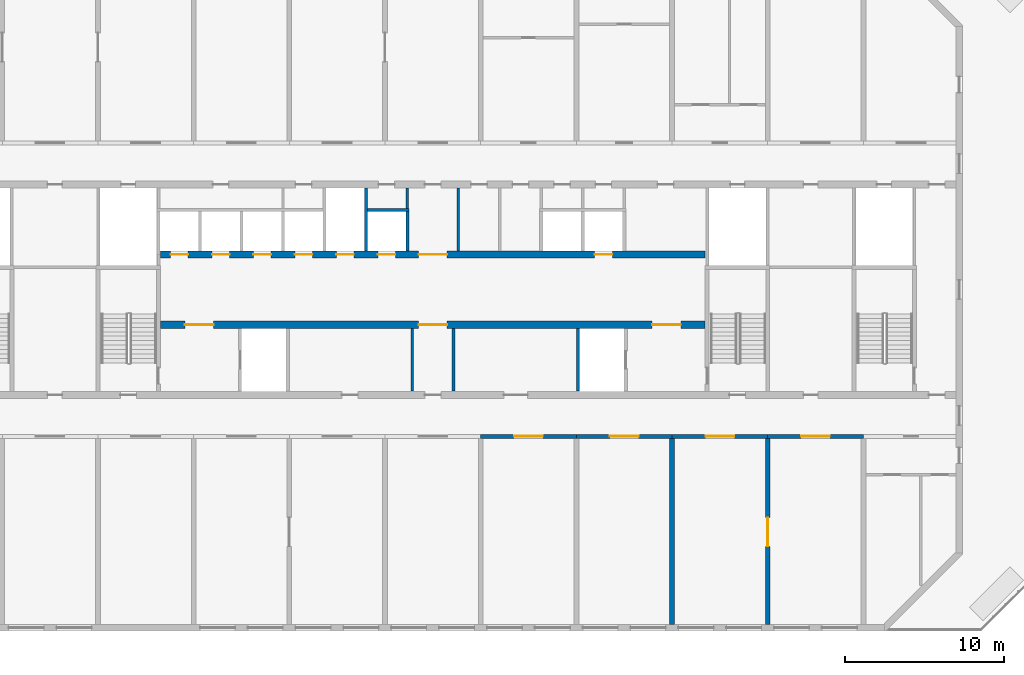
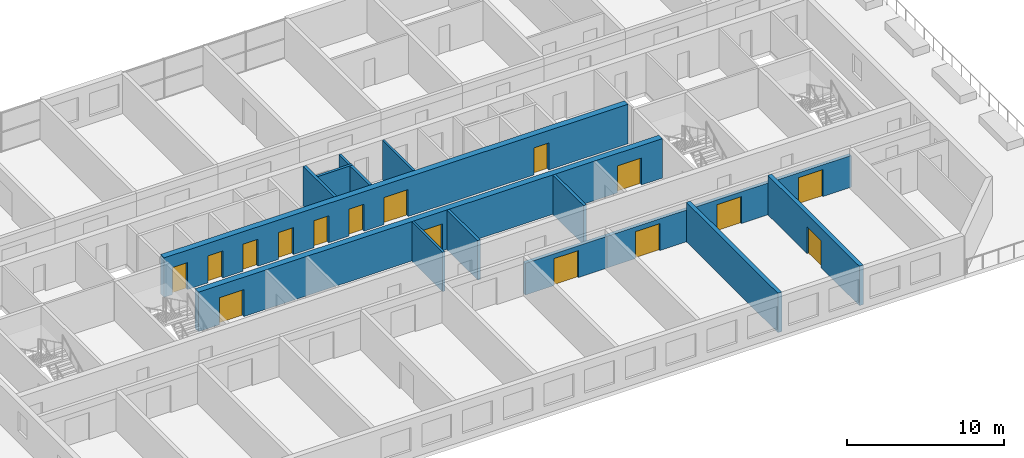
# One storey, part 6 of 14: 16 doors, 16 walls, 16 openings.
"""IFC4 building model written with IfcOpenShell, lengths in metres."""

from ifc_helpers import new_model, si_unit, direction, frame, frame_2d, origin, place, context, subcontext, project, spatial, rectangle, extrude, material, layer, layer_set, type_object, element, fill, save


model = new_model("IFC4")

# Units and contexts
model_context = context("Model", 3, precision=1e-05, world=origin(), true_north=direction((0.0, 1.0)))
body_context = subcontext(model_context, "Body", "Model", "MODEL_VIEW")
ifc_project = project(units=[si_unit("LENGTHUNIT", "METRE"), si_unit("AREAUNIT", "SQUARE_METRE"), si_unit("VOLUMEUNIT", "CUBIC_METRE"), si_unit("PLANEANGLEUNIT", "RADIAN"), si_unit("MASSUNIT", "GRAM", prefix="KILO")], contexts=[model_context])

# Site, building, storey
site_placement = place(None, origin())
site = spatial("IfcSite", under=ifc_project, at=site_placement, CompositionType="ELEMENT")
building_placement = place(site_placement, origin())
building = spatial("IfcBuilding", under=site, at=building_placement, Name="Poui Terraces", CompositionType="ELEMENT")
storey_placement = place(building_placement, frame((0.0, 0.0, 158.699951171875)))
storey = spatial("IfcBuildingStorey", under=building, at=storey_placement, Name="L44", CompositionType="ELEMENT", Elevation=158.699951171875)

# Wall, openings, doors
ifc_material_1 = material(Name="Concrete 65 MPa", Category="concrete")
ifc_layer_1 = layer(ifc_material_1, 0.449951171875)
ifc_layer_set_1 = layer_set([ifc_layer_1], Name="Concrete 65 MPa")
wall_type_1 = type_object("IfcWallType", Name="CORE WALL 450 65 MPA", PredefinedType="SOLIDWALL", material=ifc_layer_set_1)
wall_1_placement = place(storey_placement, frame((33.925048828125, 19.0, 0.0), z_axis=(0.0, 0.0, 1.0), x_axis=(1.0, 0.0, 0.0)))
wall_1 = element("IfcWall", 1, at=wall_1_placement, inside=storey, type_object=wall_type_1, Name="CORE WALL", PredefinedType="SOLIDWALL", context=body_context, shape_type="SweptSolid", body=[
    extrude(rectangle(XDim=34.14990234375, YDim=0.449951171875, at=frame_2d((17.074951171875, 0.0))), origin(), (0.0, 0.0, 1.0), 3.070068359375),
])
opening_1_placement = place(wall_1_placement, frame((16.175048828125, 0.0, 0.0)))
opening_1 = element("IfcOpeningElement", 2, at=opening_1_placement, cuts=wall_1, Name="Opening FDD60", PredefinedType="OPENING", context=body_context, shape_type="SweptSolid", body=[
    extrude(rectangle(XDim=1.800048828125, YDim=2.10009765625, at=frame_2d((0.89990234375, 1.050048828125))), frame((0.0, 0.23486328125, 0.0), z_axis=(0.0, -1.0, 0.0), x_axis=(1.0, 0.0, 0.0)), (0.0, 0.0, 1.0), 0.469970703125),
])
opening_2_placement = place(wall_1_placement, frame((1.52490234375, 0.0, 0.0)))
opening_2 = element("IfcOpeningElement", 3, at=opening_2_placement, cuts=wall_1, Name="Opening FDD60", PredefinedType="OPENING", context=body_context, shape_type="SweptSolid", body=[
    extrude(rectangle(XDim=1.800048828125, YDim=2.10009765625, at=frame_2d((0.89990234375, 1.050048828125))), frame((0.0, 0.23486328125, 0.0), z_axis=(0.0, -1.0, 0.0), x_axis=(1.0, 0.0, 0.0)), (0.0, 0.0, 1.0), 0.469970703125),
])
opening_3_placement = place(wall_1_placement, frame((30.824951171875, 0.0, 0.0)))
opening_3 = element("IfcOpeningElement", 4, at=opening_3_placement, cuts=wall_1, Name="Opening FDD60", PredefinedType="OPENING", context=body_context, shape_type="SweptSolid", body=[
    extrude(rectangle(XDim=1.800048828125, YDim=2.10009765625, at=frame_2d((0.89990234375, 1.050048828125))), frame((0.0, 0.23486328125, 0.0), z_axis=(0.0, -1.0, 0.0), x_axis=(1.0, 0.0, 0.0)), (0.0, 0.0, 1.0), 0.469970703125),
])
ifc_material_2 = material(Name="Steel fire door", Category="steel")
door_type_1 = type_object("IfcDoorType", Name="DOUBLE LOBBY FIRE DOOR 1800 X 2100", OperationType="DOUBLE_DOOR_SINGLE_SWING", PredefinedType="DOOR", material=ifc_material_2)
door_1_placement = place(opening_1_placement, frame((1.800048828125, 0.0, 0.0), z_axis=(0.0, 0.0, 1.0), x_axis=(-1.0, 0.0, 0.0)))
door_1 = element("IfcDoor", 5, at=door_1_placement, inside=storey, type_object=door_type_1, Name="DOUBLE LOBBY FIRE DOOR 069", OperationType="DOUBLE_DOOR_SINGLE_SWING", OverallHeight=2.10009765625, OverallWidth=1.800048828125, PredefinedType="DOOR", context=body_context, shape_type="SweptSolid", body=[
    extrude(rectangle(XDim=1.800048828125, YDim=2.10009765625, at=frame_2d((0.89990234375, 1.050048828125))), frame((0.0, 0.02490234375, 0.0), z_axis=(0.0, -1.0, 0.0), x_axis=(1.0, 0.0, 0.0)), (0.0, 0.0, 1.0), 0.050048828125),
])
fill(opening_1, door_1)
door_2_placement = place(opening_2_placement, origin())
door_2 = element("IfcDoor", 6, at=door_2_placement, inside=storey, type_object=door_type_1, Name="DOUBLE LOBBY FIRE DOOR 071", OperationType="DOUBLE_DOOR_SINGLE_SWING", OverallHeight=2.10009765625, OverallWidth=1.800048828125, PredefinedType="DOOR", context=body_context, shape_type="SweptSolid", body=[
    extrude(rectangle(XDim=1.800048828125, YDim=2.10009765625, at=frame_2d((0.89990234375, 1.050048828125))), frame((0.0, 0.02490234375, 0.0), z_axis=(0.0, -1.0, 0.0), x_axis=(1.0, 0.0, 0.0)), (0.0, 0.0, 1.0), 0.050048828125),
])
fill(opening_2, door_2)
door_3_placement = place(opening_3_placement, origin())
door_3 = element("IfcDoor", 7, at=door_3_placement, inside=storey, type_object=door_type_1, Name="DOUBLE LOBBY FIRE DOOR 078", OperationType="DOUBLE_DOOR_SINGLE_SWING", OverallHeight=2.10009765625, OverallWidth=1.800048828125, PredefinedType="DOOR", context=body_context, shape_type="SweptSolid", body=[
    extrude(rectangle(XDim=1.800048828125, YDim=2.10009765625, at=frame_2d((0.89990234375, 1.050048828125))), frame((0.0, 0.02490234375, 0.0), z_axis=(0.0, -1.0, 0.0), x_axis=(1.0, 0.0, 0.0)), (0.0, 0.0, 1.0), 0.050048828125),
])
fill(opening_3, door_3)

wall_2_placement = place(storey_placement, frame((33.925048828125, 23.39990234375, 0.0), z_axis=(0.0, 0.0, 1.0), x_axis=(1.0, 0.0, 0.0)))
wall_2 = element("IfcWall", 8, at=wall_2_placement, inside=storey, type_object=wall_type_1, Name="CORE WALL", PredefinedType="SOLIDWALL", context=body_context, shape_type="SweptSolid", body=[
    extrude(rectangle(XDim=34.14990234375, YDim=0.449951171875, at=frame_2d((17.074951171875, 0.0))), origin(), (0.0, 0.0, 1.0), 3.070068359375),
])
opening_4_placement = place(wall_2_placement, frame((16.175048828125, 0.0, 0.0)))
opening_4 = element("IfcOpeningElement", 9, at=opening_4_placement, cuts=wall_2, Name="Opening FDD60", PredefinedType="OPENING", context=body_context, shape_type="SweptSolid", body=[
    extrude(rectangle(XDim=1.800048828125, YDim=2.10009765625, at=frame_2d((0.89990234375, 1.050048828125))), frame((0.0, 0.23486328125, 0.0), z_axis=(0.0, -1.0, 0.0), x_axis=(1.0, 0.0, 0.0)), (0.0, 0.0, 1.0), 0.469970703125),
])
opening_5_placement = place(wall_2_placement, frame((0.625, 0.0, 0.0)))
opening_5 = element("IfcOpeningElement", 10, at=opening_5_placement, cuts=wall_2, Name="Opening LD", PredefinedType="OPENING", context=body_context, shape_type="SweptSolid", body=[
    extrude(rectangle(XDim=1.10009765625, YDim=2.10009765625, at=frame_2d((0.550048828125, 1.050048828125))), frame((0.0, 0.23486328125, 0.0), z_axis=(0.0, -1.0, 0.0), x_axis=(1.0, 0.0, 0.0)), (0.0, 0.0, 1.0), 0.469970703125),
])
opening_6_placement = place(wall_2_placement, frame((3.22509765625, 0.0, 0.0)))
opening_6 = element("IfcOpeningElement", 11, at=opening_6_placement, cuts=wall_2, Name="Opening LD", PredefinedType="OPENING", context=body_context, shape_type="SweptSolid", body=[
    extrude(rectangle(XDim=1.10009765625, YDim=2.10009765625, at=frame_2d((0.550048828125, 1.050048828125))), frame((0.0, 0.23486328125, 0.0), z_axis=(0.0, -1.0, 0.0), x_axis=(1.0, 0.0, 0.0)), (0.0, 0.0, 1.0), 0.469970703125),
])
opening_7_placement = place(wall_2_placement, frame((5.824951171875, 0.0, 0.0)))
opening_7 = element("IfcOpeningElement", 12, at=opening_7_placement, cuts=wall_2, Name="Opening LD", PredefinedType="OPENING", context=body_context, shape_type="SweptSolid", body=[
    extrude(rectangle(XDim=1.10009765625, YDim=2.10009765625, at=frame_2d((0.550048828125, 1.050048828125))), frame((0.0, 0.23486328125, 0.0), z_axis=(0.0, -1.0, 0.0), x_axis=(1.0, 0.0, 0.0)), (0.0, 0.0, 1.0), 0.469970703125),
])
opening_8_placement = place(wall_2_placement, frame((8.425048828125, 0.0, 0.0)))
opening_8 = element("IfcOpeningElement", 13, at=opening_8_placement, cuts=wall_2, Name="Opening LD", PredefinedType="OPENING", context=body_context, shape_type="SweptSolid", body=[
    extrude(rectangle(XDim=1.10009765625, YDim=2.10009765625, at=frame_2d((0.550048828125, 1.050048828125))), frame((0.0, 0.23486328125, 0.0), z_axis=(0.0, -1.0, 0.0), x_axis=(1.0, 0.0, 0.0)), (0.0, 0.0, 1.0), 0.469970703125),
])
opening_9_placement = place(wall_2_placement, frame((11.02490234375, 0.0, 0.0)))
opening_9 = element("IfcOpeningElement", 14, at=opening_9_placement, cuts=wall_2, Name="Opening LD", PredefinedType="OPENING", context=body_context, shape_type="SweptSolid", body=[
    extrude(rectangle(XDim=1.10009765625, YDim=2.10009765625, at=frame_2d((0.550048828125, 1.050048828125))), frame((0.0, 0.23486328125, 0.0), z_axis=(0.0, -1.0, 0.0), x_axis=(1.0, 0.0, 0.0)), (0.0, 0.0, 1.0), 0.469970703125),
])
opening_10_placement = place(wall_2_placement, frame((13.625, 0.0, 0.0)))
opening_10 = element("IfcOpeningElement", 15, at=opening_10_placement, cuts=wall_2, Name="Opening LD", PredefinedType="OPENING", context=body_context, shape_type="SweptSolid", body=[
    extrude(rectangle(XDim=1.10009765625, YDim=2.10009765625, at=frame_2d((0.550048828125, 1.050048828125))), frame((0.0, 0.23486328125, 0.0), z_axis=(0.0, -1.0, 0.0), x_axis=(1.0, 0.0, 0.0)), (0.0, 0.0, 1.0), 0.469970703125),
])
opening_11_placement = place(wall_2_placement, frame((27.22509765625, 0.0, 0.0)))
opening_11 = element("IfcOpeningElement", 16, at=opening_11_placement, cuts=wall_2, Name="Opening LD", PredefinedType="OPENING", context=body_context, shape_type="SweptSolid", body=[
    extrude(rectangle(XDim=1.10009765625, YDim=2.10009765625, at=frame_2d((0.550048828125, 1.050048828125))), frame((0.0, 0.23486328125, 0.0), z_axis=(0.0, -1.0, 0.0), x_axis=(1.0, 0.0, 0.0)), (0.0, 0.0, 1.0), 0.469970703125),
])
door_4_placement = place(opening_4_placement, origin())
door_4 = element("IfcDoor", 17, at=door_4_placement, inside=storey, type_object=door_type_1, Name="DOUBLE LOBBY FIRE DOOR 068", OperationType="DOUBLE_DOOR_SINGLE_SWING", OverallHeight=2.10009765625, OverallWidth=1.800048828125, PredefinedType="DOOR", context=body_context, shape_type="SweptSolid", body=[
    extrude(rectangle(XDim=1.800048828125, YDim=2.10009765625, at=frame_2d((0.89990234375, 1.050048828125))), frame((0.0, 0.02490234375, 0.0), z_axis=(0.0, -1.0, 0.0), x_axis=(1.0, 0.0, 0.0)), (0.0, 0.0, 1.0), 0.050048828125),
])
fill(opening_4, door_4)
ifc_material_3 = material(Name="Stainless steel sliding door", Category="steel")
door_type_2 = type_object("IfcDoorType", Name="LIFT LANDING DOOR 1100 X 2100", OperationType="DOUBLE_DOOR_SLIDING", PredefinedType="DOOR", material=ifc_material_3)
door_5_placement = place(opening_5_placement, origin())
door_5 = element("IfcDoor", 18, at=door_5_placement, inside=storey, type_object=door_type_2, Name="LANDING DOOR", OperationType="DOUBLE_DOOR_SLIDING", OverallHeight=2.10009765625, OverallWidth=1.10009765625, PredefinedType="DOOR", context=body_context, shape_type="SweptSolid", body=[
    extrude(rectangle(XDim=1.10009765625, YDim=2.10009765625, at=frame_2d((0.550048828125, 1.050048828125))), frame((0.0, 0.02490234375, 0.0), z_axis=(0.0, -1.0, 0.0), x_axis=(1.0, 0.0, 0.0)), (0.0, 0.0, 1.0), 0.050048828125),
])
fill(opening_5, door_5)
door_6_placement = place(opening_6_placement, origin())
door_6 = element("IfcDoor", 19, at=door_6_placement, inside=storey, type_object=door_type_2, Name="LANDING DOOR", OperationType="DOUBLE_DOOR_SLIDING", OverallHeight=2.10009765625, OverallWidth=1.10009765625, PredefinedType="DOOR", context=body_context, shape_type="SweptSolid", body=[
    extrude(rectangle(XDim=1.10009765625, YDim=2.10009765625, at=frame_2d((0.550048828125, 1.050048828125))), frame((0.0, 0.02490234375, 0.0), z_axis=(0.0, -1.0, 0.0), x_axis=(1.0, 0.0, 0.0)), (0.0, 0.0, 1.0), 0.050048828125),
])
fill(opening_6, door_6)
door_7_placement = place(opening_7_placement, origin())
door_7 = element("IfcDoor", 20, at=door_7_placement, inside=storey, type_object=door_type_2, Name="LANDING DOOR", OperationType="DOUBLE_DOOR_SLIDING", OverallHeight=2.10009765625, OverallWidth=1.10009765625, PredefinedType="DOOR", context=body_context, shape_type="SweptSolid", body=[
    extrude(rectangle(XDim=1.10009765625, YDim=2.10009765625, at=frame_2d((0.550048828125, 1.050048828125))), frame((0.0, 0.02490234375, 0.0), z_axis=(0.0, -1.0, 0.0), x_axis=(1.0, 0.0, 0.0)), (0.0, 0.0, 1.0), 0.050048828125),
])
fill(opening_7, door_7)
door_8_placement = place(opening_8_placement, origin())
door_8 = element("IfcDoor", 21, at=door_8_placement, inside=storey, type_object=door_type_2, Name="LANDING DOOR", OperationType="DOUBLE_DOOR_SLIDING", OverallHeight=2.10009765625, OverallWidth=1.10009765625, PredefinedType="DOOR", context=body_context, shape_type="SweptSolid", body=[
    extrude(rectangle(XDim=1.10009765625, YDim=2.10009765625, at=frame_2d((0.550048828125, 1.050048828125))), frame((0.0, 0.02490234375, 0.0), z_axis=(0.0, -1.0, 0.0), x_axis=(1.0, 0.0, 0.0)), (0.0, 0.0, 1.0), 0.050048828125),
])
fill(opening_8, door_8)
door_9_placement = place(opening_9_placement, origin())
door_9 = element("IfcDoor", 22, at=door_9_placement, inside=storey, type_object=door_type_2, Name="LANDING DOOR", OperationType="DOUBLE_DOOR_SLIDING", OverallHeight=2.10009765625, OverallWidth=1.10009765625, PredefinedType="DOOR", context=body_context, shape_type="SweptSolid", body=[
    extrude(rectangle(XDim=1.10009765625, YDim=2.10009765625, at=frame_2d((0.550048828125, 1.050048828125))), frame((0.0, 0.02490234375, 0.0), z_axis=(0.0, -1.0, 0.0), x_axis=(1.0, 0.0, 0.0)), (0.0, 0.0, 1.0), 0.050048828125),
])
fill(opening_9, door_9)
door_10_placement = place(opening_10_placement, origin())
door_10 = element("IfcDoor", 23, at=door_10_placement, inside=storey, type_object=door_type_2, Name="LANDING DOOR", OperationType="DOUBLE_DOOR_SLIDING", OverallHeight=2.10009765625, OverallWidth=1.10009765625, PredefinedType="DOOR", context=body_context, shape_type="SweptSolid", body=[
    extrude(rectangle(XDim=1.10009765625, YDim=2.10009765625, at=frame_2d((0.550048828125, 1.050048828125))), frame((0.0, 0.02490234375, 0.0), z_axis=(0.0, -1.0, 0.0), x_axis=(1.0, 0.0, 0.0)), (0.0, 0.0, 1.0), 0.050048828125),
])
fill(opening_10, door_10)
door_11_placement = place(opening_11_placement, origin())
door_11 = element("IfcDoor", 24, at=door_11_placement, inside=storey, type_object=door_type_2, Name="LANDING DOOR", OperationType="DOUBLE_DOOR_SLIDING", OverallHeight=2.10009765625, OverallWidth=1.10009765625, PredefinedType="DOOR", context=body_context, shape_type="SweptSolid", body=[
    extrude(rectangle(XDim=1.10009765625, YDim=2.10009765625, at=frame_2d((0.550048828125, 1.050048828125))), frame((0.0, 0.02490234375, 0.0), z_axis=(0.0, -1.0, 0.0), x_axis=(1.0, 0.0, 0.0)), (0.0, 0.0, 1.0), 0.050048828125),
])
fill(opening_11, door_11)

# Walls
ifc_material_4 = material(Name="Fire-rated plasterboard wall")
ifc_layer_2 = layer(ifc_material_4, 0.14990234375)
ifc_layer_set_2 = layer_set([ifc_layer_2], Name="Fire-rated plasterboard wall")
wall_type_2 = type_object("IfcWallType", Name="CORRIDOR WALL 150", PredefinedType="PARTITIONING", material=ifc_layer_set_2)
wall_3_placement = place(storey_placement, frame((49.39990234375, 26.300048828125, 0.0), z_axis=(0.0, 0.0, 1.0), x_axis=(0.0, 1.0, 0.0)))
element("IfcWall", 25, at=wall_3_placement, inside=storey, type_object=wall_type_2, Name="CORRIDOR WALL 150", PredefinedType="PARTITIONING", context=body_context, shape_type="SweptSolid", body=[
    extrude(rectangle(XDim=1.264892578125, YDim=0.14990234375, at=frame_2d((0.63232421875, 0.0))), origin(), (0.0, 0.0, 1.0), 3.070068359375),
])
for number, where, z_axis, x_axis, name in (
    (26, (49.699951171875, 14.8349609375, 0.0), (0.0, 0.0, 1.0), (0.0, 1.0, 0.0), "CORRIDOR WALL 150"),
    (27, (52.60009765625, 23.635009765625, 0.0), (0.0, 0.0, 1.0), (0.0, 1.0, 0.0), "CORRIDOR WALL 150"),
):
    element("IfcWall", number, at=place(storey_placement, frame(where, z_axis=z_axis, x_axis=x_axis)), inside=storey, type_object=wall_type_2, Name=name, PredefinedType="PARTITIONING", context=body_context, shape_type="SweptSolid", body=[
        extrude(rectangle(XDim=3.929931640625, YDim=0.14990234375, at=frame_2d((1.96484375, 0.0))), origin(), (0.0, 0.0, 1.0), 3.070068359375),
    ])

# Wall, opening, door
ifc_layer_3 = layer(ifc_material_1, 0.25)
ifc_layer_set_3 = layer_set([ifc_layer_3], Name="Concrete 65 MPa")
wall_type_3 = type_object("IfcWallType", Name="CORRIDOR WALL 250 65MPa", PredefinedType="SHEAR", material=ifc_layer_set_3)
wall_4_placement = place(storey_placement, frame((54.0, 12.0, 0.0), z_axis=(0.0, 0.0, 1.0), x_axis=(1.0, 0.0, 0.0)))
wall_4 = element("IfcWall", 28, at=wall_4_placement, inside=storey, type_object=wall_type_3, Name="CORRIDOR WALL LINE B BAY 7", PredefinedType="SHEAR", context=body_context, shape_type="SweptSolid", body=[
    extrude(rectangle(XDim=6.0, YDim=0.25, at=frame_2d((3.0, 0.0))), origin(), (0.0, 0.0, 1.0), 2.469970703125),
])
opening_12_placement = place(wall_4_placement, frame((2.10009765625, 0.0, 0.0)))
opening_12 = element("IfcOpeningElement", 29, at=opening_12_placement, cuts=wall_4, Name="Opening DD180", PredefinedType="OPENING", context=body_context, shape_type="SweptSolid", body=[
    extrude(rectangle(XDim=1.800048828125, YDim=2.10009765625, at=frame_2d((0.89990234375, 1.050048828125))), frame((0.0, 0.135009765625, 0.0), z_axis=(0.0, -1.0, 0.0), x_axis=(1.0, 0.0, 0.0)), (0.0, 0.0, 1.0), 0.27001953125),
])
door_type_3 = type_object("IfcDoorType", Name="DOUBLE INTERNAL DOOR 1800 X 2100", OperationType="DOUBLE_DOOR_SINGLE_SWING", PredefinedType="DOOR", material=ifc_material_2)
door_12_placement = place(opening_12_placement, origin())
door_12 = element("IfcDoor", 30, at=door_12_placement, inside=storey, type_object=door_type_3, Name="DOUBLE INTERNAL DOOR 041", OperationType="DOUBLE_DOOR_SINGLE_SWING", OverallHeight=2.10009765625, OverallWidth=1.800048828125, PredefinedType="DOOR", context=body_context, shape_type="SweptSolid", body=[
    extrude(rectangle(XDim=1.800048828125, YDim=2.10009765625, at=frame_2d((0.89990234375, 1.050048828125))), frame((0.0, 0.02490234375, 0.0), z_axis=(0.0, -1.0, 0.0), x_axis=(1.0, 0.0, 0.0)), (0.0, 0.0, 1.0), 0.050048828125),
])
fill(opening_12, door_12)

wall_5_placement = place(storey_placement, frame((60.0, 12.0, 0.0), z_axis=(0.0, 0.0, 1.0), x_axis=(1.0, 0.0, 0.0)))
wall_5 = element("IfcWall", 31, at=wall_5_placement, inside=storey, type_object=wall_type_3, Name="CORRIDOR WALL LINE B BAY 8", PredefinedType="SHEAR", context=body_context, shape_type="SweptSolid", body=[
    extrude(rectangle(XDim=6.0, YDim=0.25, at=frame_2d((3.0, 0.0))), origin(), (0.0, 0.0, 1.0), 2.469970703125),
])
opening_13_placement = place(wall_5_placement, frame((2.10009765625, 0.0, 0.0)))
opening_13 = element("IfcOpeningElement", 32, at=opening_13_placement, cuts=wall_5, Name="Opening DD180", PredefinedType="OPENING", context=body_context, shape_type="SweptSolid", body=[
    extrude(rectangle(XDim=1.800048828125, YDim=2.10009765625, at=frame_2d((0.89990234375, 1.050048828125))), frame((0.0, 0.135009765625, 0.0), z_axis=(0.0, -1.0, 0.0), x_axis=(1.0, 0.0, 0.0)), (0.0, 0.0, 1.0), 0.27001953125),
])
door_13_placement = place(opening_13_placement, origin())
door_13 = element("IfcDoor", 33, at=door_13_placement, inside=storey, type_object=door_type_3, Name="DOUBLE INTERNAL DOOR 042", OperationType="DOUBLE_DOOR_SINGLE_SWING", OverallHeight=2.10009765625, OverallWidth=1.800048828125, PredefinedType="DOOR", context=body_context, shape_type="SweptSolid", body=[
    extrude(rectangle(XDim=1.800048828125, YDim=2.10009765625, at=frame_2d((0.89990234375, 1.050048828125))), frame((0.0, 0.02490234375, 0.0), z_axis=(0.0, -1.0, 0.0), x_axis=(1.0, 0.0, 0.0)), (0.0, 0.0, 1.0), 0.050048828125),
])
fill(opening_13, door_13)

wall_6_placement = place(storey_placement, frame((66.0, 12.0, 0.0), z_axis=(0.0, 0.0, 1.0), x_axis=(1.0, 0.0, 0.0)))
wall_6 = element("IfcWall", 34, at=wall_6_placement, inside=storey, type_object=wall_type_3, Name="CORRIDOR WALL LINE B BAY 9", PredefinedType="SHEAR", context=body_context, shape_type="SweptSolid", body=[
    extrude(rectangle(XDim=6.0, YDim=0.25, at=frame_2d((3.0, 0.0))), origin(), (0.0, 0.0, 1.0), 2.469970703125),
])
opening_14_placement = place(wall_6_placement, frame((2.10009765625, 0.0, 0.0)))
opening_14 = element("IfcOpeningElement", 35, at=opening_14_placement, cuts=wall_6, Name="Opening DD180", PredefinedType="OPENING", context=body_context, shape_type="SweptSolid", body=[
    extrude(rectangle(XDim=1.800048828125, YDim=2.10009765625, at=frame_2d((0.89990234375, 1.050048828125))), frame((0.0, 0.135009765625, 0.0), z_axis=(0.0, -1.0, 0.0), x_axis=(1.0, 0.0, 0.0)), (0.0, 0.0, 1.0), 0.27001953125),
])
door_14_placement = place(opening_14_placement, origin())
door_14 = element("IfcDoor", 36, at=door_14_placement, inside=storey, type_object=door_type_3, Name="DOUBLE INTERNAL DOOR 043", OperationType="DOUBLE_DOOR_SINGLE_SWING", OverallHeight=2.10009765625, OverallWidth=1.800048828125, PredefinedType="DOOR", context=body_context, shape_type="SweptSolid", body=[
    extrude(rectangle(XDim=1.800048828125, YDim=2.10009765625, at=frame_2d((0.89990234375, 1.050048828125))), frame((0.0, 0.02490234375, 0.0), z_axis=(0.0, -1.0, 0.0), x_axis=(1.0, 0.0, 0.0)), (0.0, 0.0, 1.0), 0.050048828125),
])
fill(opening_14, door_14)

wall_7_placement = place(storey_placement, frame((72.0, 12.0, 0.0), z_axis=(0.0, 0.0, 1.0), x_axis=(1.0, 0.0, 0.0)))
wall_7 = element("IfcWall", 37, at=wall_7_placement, inside=storey, type_object=wall_type_3, Name="CORRIDOR WALL LINE B BAY 10", PredefinedType="SHEAR", context=body_context, shape_type="SweptSolid", body=[
    extrude(rectangle(XDim=6.0, YDim=0.25, at=frame_2d((3.0, 0.0))), origin(), (0.0, 0.0, 1.0), 2.469970703125),
])
opening_15_placement = place(wall_7_placement, frame((2.10009765625, 0.0, 0.0)))
opening_15 = element("IfcOpeningElement", 38, at=opening_15_placement, cuts=wall_7, Name="Opening DD180", PredefinedType="OPENING", context=body_context, shape_type="SweptSolid", body=[
    extrude(rectangle(XDim=1.800048828125, YDim=2.10009765625, at=frame_2d((0.89990234375, 1.050048828125))), frame((0.0, 0.135009765625, 0.0), z_axis=(0.0, -1.0, 0.0), x_axis=(1.0, 0.0, 0.0)), (0.0, 0.0, 1.0), 0.27001953125),
])
door_15_placement = place(opening_15_placement, origin())
door_15 = element("IfcDoor", 39, at=door_15_placement, inside=storey, type_object=door_type_3, Name="DOUBLE INTERNAL DOOR 046", OperationType="DOUBLE_DOOR_SINGLE_SWING", OverallHeight=2.10009765625, OverallWidth=1.800048828125, PredefinedType="DOOR", context=body_context, shape_type="SweptSolid", body=[
    extrude(rectangle(XDim=1.800048828125, YDim=2.10009765625, at=frame_2d((0.89990234375, 1.050048828125))), frame((0.0, 0.02490234375, 0.0), z_axis=(0.0, -1.0, 0.0), x_axis=(1.0, 0.0, 0.0)), (0.0, 0.0, 1.0), 0.050048828125),
])
fill(opening_15, door_15)

# Wall
ifc_layer_4 = layer(ifc_material_1, 0.300048828125)
ifc_layer_set_4 = layer_set([ifc_layer_4], Name="Concrete 65 MPa")
wall_type_4 = type_object("IfcWallType", Name="CROSS WALL 300 65MPa", PredefinedType="SHEAR", material=ifc_layer_set_4)
wall_8_placement = place(storey_placement, frame((66.0, 0.199951171875, 0.0), z_axis=(0.0, 0.0, 1.0), x_axis=(0.0, 1.0, 0.0)))
element("IfcWall", 40, at=wall_8_placement, inside=storey, type_object=wall_type_4, Name="CROSS WALL LINE 12 SOUTH", PredefinedType="SHEAR", context=body_context, shape_type="SweptSolid", body=[
    extrude(rectangle(XDim=11.675048828125, YDim=0.300048828125, at=frame_2d((5.83740234375, 0.0))), origin(), (0.0, 0.0, 1.0), 3.070068359375),
])

# Wall, opening, door
wall_9_placement = place(storey_placement, frame((72.0, 0.199951171875, 0.0), z_axis=(0.0, 0.0, 1.0), x_axis=(0.0, 1.0, 0.0)))
wall_9 = element("IfcWall", 41, at=wall_9_placement, inside=storey, type_object=wall_type_4, Name="CROSS WALL LINE 13 SOUTH", PredefinedType="SHEAR", context=body_context, shape_type="SweptSolid", body=[
    extrude(rectangle(XDim=11.675048828125, YDim=0.300048828125, at=frame_2d((5.83740234375, 0.0))), origin(), (0.0, 0.0, 1.0), 3.070068359375),
])
opening_16_placement = place(wall_9_placement, frame((4.89990234375, 0.0, 0.0)))
opening_16 = element("IfcOpeningElement", 42, at=opening_16_placement, cuts=wall_9, Name="Opening DD180", PredefinedType="OPENING", context=body_context, shape_type="SweptSolid", body=[
    extrude(rectangle(XDim=1.800048828125, YDim=2.10009765625, at=frame_2d((0.89990234375, 1.050048828125))), frame((0.0, 0.16015625, 0.0), z_axis=(0.0, -1.0, 0.0), x_axis=(1.0, 0.0, 0.0)), (0.0, 0.0, 1.0), 0.320068359375),
])
door_16_placement = place(opening_16_placement, origin())
door_16 = element("IfcDoor", 43, at=door_16_placement, inside=storey, type_object=door_type_3, Name="DOUBLE INTERNAL DOOR 060", OperationType="DOUBLE_DOOR_SINGLE_SWING", OverallHeight=2.10009765625, OverallWidth=1.800048828125, PredefinedType="DOOR", context=body_context, shape_type="SweptSolid", body=[
    extrude(rectangle(XDim=1.800048828125, YDim=2.10009765625, at=frame_2d((0.89990234375, 1.050048828125))), frame((0.0, 0.02490234375, 0.0), z_axis=(0.0, -1.0, 0.0), x_axis=(1.0, 0.0, 0.0)), (0.0, 0.0, 1.0), 0.050048828125),
])
fill(opening_16, door_16)

# Walls
ifc_material_5 = material(Name="Fire-rated masonry wall", Category="masonry")
ifc_layer_5 = layer(ifc_material_5, 0.199951171875)
ifc_layer_set_5 = layer_set([ifc_layer_5], Name="Fire-rated masonry wall")
wall_type_5 = type_object("IfcWallType", Name="PLANT ROOM WALL 200", PredefinedType="PARTITIONING", material=ifc_layer_set_5)
wall_10_placement = place(storey_placement, frame((52.300048828125, 14.8349609375, 0.0), z_axis=(0.0, 0.0, 1.0), x_axis=(0.0, 1.0, 0.0)))
element("IfcWall", 44, at=wall_10_placement, inside=storey, type_object=wall_type_5, Name="PLANT ROOM WALL 200", PredefinedType="PARTITIONING", context=body_context, shape_type="SweptSolid", body=[
    extrude(rectangle(XDim=3.929931640625, YDim=0.199951171875, at=frame_2d((1.96484375, 0.0))), origin(), (0.0, 0.0, 1.0), 3.070068359375),
])
ifc_material_6 = material(Name="Fire-rated masonry shaft wall", Category="masonry")
ifc_layer_6 = layer(ifc_material_6, 0.199951171875)
ifc_layer_set_6 = layer_set([ifc_layer_6], Name="Fire-rated masonry shaft wall")
wall_type_6 = type_object("IfcWallType", Name="SHAFT WALL 200", PredefinedType="PARTITIONING", material=ifc_layer_set_6)
wall_11_placement = place(storey_placement, frame((46.89990234375, 26.199951171875, 0.0), z_axis=(0.0, 0.0, 1.0), x_axis=(1.0, 0.0, 0.0)))
element("IfcWall", 45, at=wall_11_placement, inside=storey, type_object=wall_type_6, Name="SHAFT WALL 200", PredefinedType="PARTITIONING", context=body_context, shape_type="SweptSolid", body=[
    extrude(rectangle(XDim=2.60009765625, YDim=0.199951171875, at=frame_2d((1.300048828125, 0.0))), origin(), (0.0, 0.0, 1.0), 3.070068359375),
])
wall_12_placement = place(storey_placement, frame((46.800048828125, 23.635009765625, 0.0), z_axis=(0.0, 0.0, 1.0), x_axis=(0.0, 1.0, 0.0)))
element("IfcWall", 46, at=wall_12_placement, inside=storey, type_object=wall_type_6, Name="SHAFT WALL 200", PredefinedType="PARTITIONING", context=body_context, shape_type="SweptSolid", body=[
    extrude(rectangle(XDim=3.929931640625, YDim=0.199951171875, at=frame_2d((1.96484375, 0.0))), origin(), (0.0, 0.0, 1.0), 3.070068359375),
])
wall_13_placement = place(storey_placement, frame((49.39990234375, 23.635009765625, 0.0), z_axis=(0.0, 0.0, 1.0), x_axis=(0.0, 1.0, 0.0)))
element("IfcWall", 47, at=wall_13_placement, inside=storey, type_object=wall_type_6, Name="SHAFT WALL 200", PredefinedType="PARTITIONING", context=body_context, shape_type="SweptSolid", body=[
    extrude(rectangle(XDim=2.465087890625, YDim=0.199951171875, at=frame_2d((1.232421875, 0.0))), origin(), (0.0, 0.0, 1.0), 3.070068359375),
])
wall_14_placement = place(storey_placement, frame((60.10009765625, 14.8349609375, 0.0), z_axis=(0.0, 0.0, 1.0), x_axis=(0.0, 1.0, 0.0)))
element("IfcWall", 48, at=wall_14_placement, inside=storey, type_object=wall_type_6, Name="SHAFT WALL 200", PredefinedType="PARTITIONING", context=body_context, shape_type="SweptSolid", body=[
    extrude(rectangle(XDim=3.929931640625, YDim=0.199951171875, at=frame_2d((1.96484375, 0.0))), origin(), (0.0, 0.0, 1.0), 3.070068359375),
])

save(model, "model.ifc")
